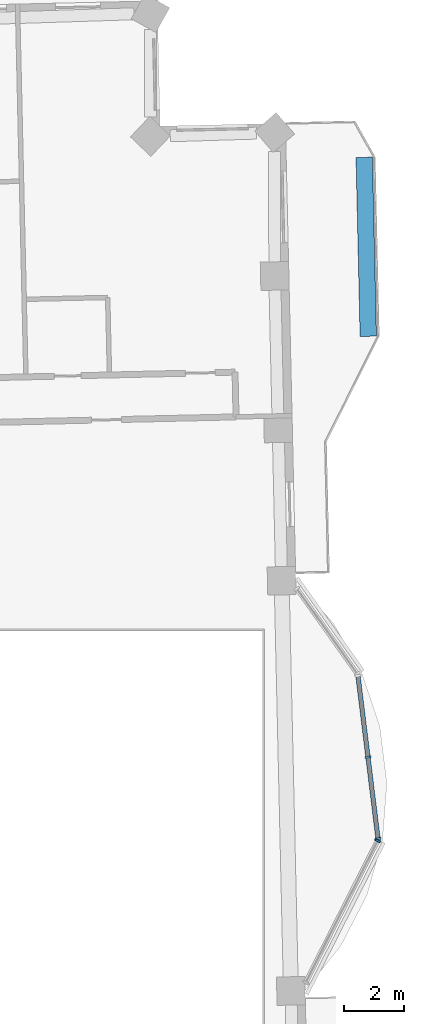
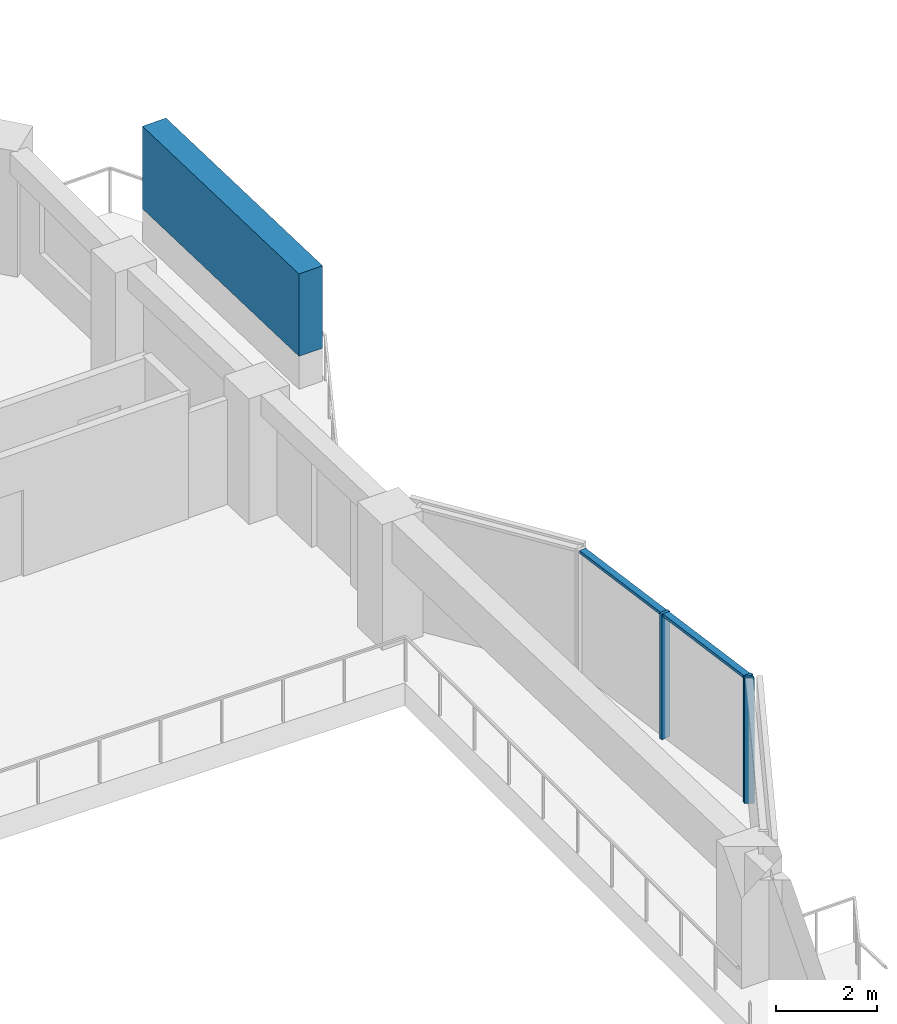
# One storey, part 6 of 20: 6 members, 2 elements without a shape of their own.
"""IFC4 building model written with IfcOpenShell, lengths in metres."""

from ifc_helpers import new_model, si_unit, direction, frame, origin, origin_2d, place, context, subcontext, project, spatial, rectangle, extrude, material, material_profile, profile_set, type_object, element, aggregate, save


model = new_model("IFC4")

# Units and contexts
model_context = context("Model", 3, precision=1e-05, world=origin(), true_north=direction((0.0, 1.0)))
body_context = subcontext(model_context, "Body", "Model", "MODEL_VIEW")
ifc_project = project(units=[si_unit("LENGTHUNIT", "METRE"), si_unit("AREAUNIT", "SQUARE_METRE"), si_unit("VOLUMEUNIT", "CUBIC_METRE"), si_unit("PLANEANGLEUNIT", "RADIAN"), si_unit("MASSUNIT", "GRAM", prefix="KILO")], contexts=[model_context])

# Site, building, storey
site_placement = place(None, origin())
site = spatial("IfcSite", under=ifc_project, at=site_placement, CompositionType="ELEMENT")
building_placement = place(site_placement, origin())
building = spatial("IfcBuilding", under=site, at=building_placement, Name="Mangrove Gate Tower", CompositionType="ELEMENT")
storey_placement = place(building_placement, frame((0.0, 0.0, 294.300048828125)))
storey = spatial("IfcBuildingStorey", under=building, at=storey_placement, Name="L75", CompositionType="ELEMENT", Elevation=294.300048828125)

# Curtain wall, member
ifc_material_1 = material(Name="Aluminium and glass curtain wall", Category="aluminium")
curtain_wall_type = type_object("IfcCurtainWallType", Name="Atrium garden-court glazing wall", PredefinedType="NOTDEFINED", material=ifc_material_1)
curtain_wall_1_placement = place(storey_placement, origin())
curtain_wall_1 = element("IfcCurtainWall", 1, at=curtain_wall_1_placement, inside=storey, type_object=curtain_wall_type, Name="Atrium garden-court glazing E1f1", PredefinedType="NOTDEFINED")
ifc_material_2 = material(Name="Aluminium alloy 6063-T6", Category="aluminium")
ifc_material_profile_1 = material_profile(ifc_material_2, rectangle(XDim=0.070068359375, YDim=0.199951171875, at=origin_2d()))
ifc_profile_set_1 = profile_set([ifc_material_profile_1], Name="Aluminium alloy 6063-T6")
member_type_1 = type_object("IfcMemberType", Name="Atrium garden-court glazing mullion 70x200", PredefinedType="MULLION", material=ifc_profile_set_1)
member_1_placement = place(storey_placement, frame((33.748046875, 0.474853515625, 0.0), z_axis=(0.0, 0.0, 1.0), x_axis=(0.452617386511, 0.891704828644, 0.0)))
member_1 = element("IfcMember", 2, at=member_1_placement, type_object=member_type_1, Name="CWA mullion 2", PredefinedType="MULLION", context=body_context, shape_type="SweptSolid", body=[
    extrude(rectangle(XDim=0.070068359375, YDim=0.199951171875, at=origin_2d()), origin(), (0.0, 0.0, 1.0), 3.050048828125),
])
aggregate(curtain_wall_1, [member_1])

# Curtain wall, members
curtain_wall_2_placement = place(storey_placement, origin())
curtain_wall_2 = element("IfcCurtainWall", 3, at=curtain_wall_2_placement, inside=storey, type_object=curtain_wall_type, Name="Atrium garden-court glazing E1f2", PredefinedType="NOTDEFINED")
member_2_placement = place(storey_placement, frame((33.759521484375, 0.540771484375, 0.0), z_axis=(0.0, 0.0, 1.0), x_axis=(-0.122172285885, 0.992508908051, 0.0)))
member_2 = element("IfcMember", 4, at=member_2_placement, type_object=member_type_1, Name="CWA mullion 1", PredefinedType="MULLION", context=body_context, shape_type="SweptSolid", body=[
    extrude(rectangle(XDim=0.070068359375, YDim=0.199951171875, at=origin_2d()), origin(), (0.0, 0.0, 1.0), 3.050048828125),
])
member_3_placement = place(storey_placement, frame((33.42333984375, 3.27197265625, 0.0), z_axis=(0.0, 0.0, 1.0), x_axis=(-0.122172285885, 0.992508908051, 0.0)))
member_3 = element("IfcMember", 5, at=member_3_placement, type_object=member_type_1, Name="CWA mullion 2", PredefinedType="MULLION", context=body_context, shape_type="SweptSolid", body=[
    extrude(rectangle(XDim=0.070068359375, YDim=0.199951171875, at=origin_2d()), origin(), (0.0, 0.0, 1.0), 3.050048828125),
])
ifc_material_3 = material(Name="Aluminium alloy 6063-T6", Category="aluminium")
ifc_material_profile_2 = material_profile(ifc_material_3, rectangle(XDim=0.070068359375, YDim=0.14990234375, at=origin_2d()))
ifc_profile_set_2 = profile_set([ifc_material_profile_2], Name="Aluminium alloy 6063-T6")
member_type_2 = type_object("IfcMemberType", Name="Atrium garden-court glazing transom 70x150", PredefinedType="USERDEFINED", material=ifc_profile_set_2)
member_4_placement = place(storey_placement, frame((33.75537109375, 0.575439453125, 3.014892578125), z_axis=(-0.122174517154, 0.992508633392, 0.0), x_axis=(0.0, 0.0, 1.0)))
member_4 = element("IfcMember", 6, at=member_4_placement, type_object=member_type_2, Name="CWA transom 1.2", ObjectType="TRANSOM", PredefinedType="USERDEFINED", context=body_context, shape_type="SweptSolid", body=[
    extrude(rectangle(XDim=0.070068359375, YDim=0.14990234375, at=origin_2d()), origin(), (0.0, 0.0, 1.0), 2.681640625),
])
member_5_placement = place(storey_placement, frame((33.419189453125, 3.306640625, 3.014892578125), z_axis=(-0.122174517154, 0.992508633392, 0.0), x_axis=(0.0, 0.0, 1.0)))
member_5 = element("IfcMember", 7, at=member_5_placement, type_object=member_type_2, Name="CWA transom 2.2", ObjectType="TRANSOM", PredefinedType="USERDEFINED", context=body_context, shape_type="SweptSolid", body=[
    extrude(rectangle(XDim=0.070068359375, YDim=0.14990234375, at=origin_2d()), origin(), (0.0, 0.0, 1.0), 2.681640625),
])
aggregate(curtain_wall_2, [member_2, member_3, member_4, member_5])

# Member
ifc_material_4 = material(Name="Planting on aluminium trellis", Category="aluminium")
ifc_material_profile_3 = material_profile(ifc_material_4, rectangle(XDim=0.550048828125, YDim=2.0, at=origin_2d()))
ifc_profile_set_3 = profile_set([ifc_material_profile_3], Name="Planting on aluminium trellis")
member_type_3 = type_object("IfcMemberType", Name="Balcony greenery screen 550x2000", PredefinedType="USERDEFINED", material=ifc_profile_set_3)
member_6_placement = place(storey_placement, frame((33.43408203125, 17.376953125, 1.800048828125), z_axis=(-0.022665943652, 0.999743094499, 0.0), x_axis=(-0.999743094499, -0.022665943652, 0.0)))
element("IfcMember", 8, at=member_6_placement, inside=storey, type_object=member_type_3, Name="GREEN SCREEN L75 E1.1", ObjectType="PLANTING", PredefinedType="USERDEFINED", context=body_context, shape_type="SweptSolid", body=[
    extrude(rectangle(XDim=0.550048828125, YDim=2.0, at=origin_2d()), origin(), (0.0, 0.0, 1.0), 5.99951171875),
])

save(model, "model.ifc")
